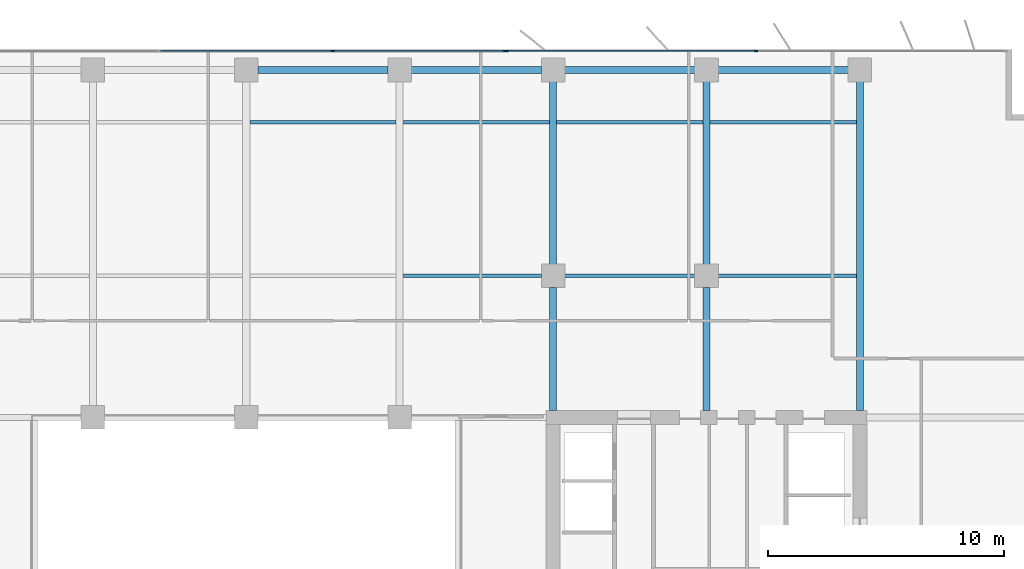
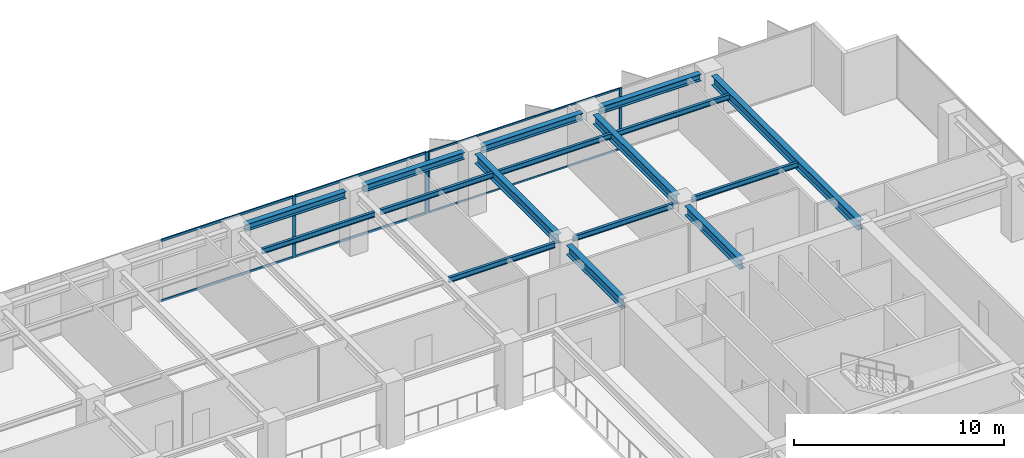
# One storey, part 10 of 22: 16 beams, 10 members, 2 elements without a shape of their own.
"""IFC4 building model written with IfcOpenShell, lengths in metres."""

from ifc_helpers import new_model, si_unit, direction, frame, origin, origin_2d, place, context, subcontext, project, spatial, rectangle, i_section, extrude, material, layer, layer_set, material_profile, profile_set, type_object, element, aggregate, save


model = new_model("IFC4")

# Units and contexts
model_context = context("Model", 3, precision=1e-05, world=origin(), true_north=direction((0.0, 1.0)))
body_context = subcontext(model_context, "Body", "Model", "MODEL_VIEW")
ifc_project = project(units=[si_unit("LENGTHUNIT", "METRE"), si_unit("AREAUNIT", "SQUARE_METRE"), si_unit("VOLUMEUNIT", "CUBIC_METRE"), si_unit("PLANEANGLEUNIT", "RADIAN"), si_unit("MASSUNIT", "GRAM", prefix="KILO")], contexts=[model_context])

# Site, building, storey
site_placement = place(None, origin())
site = spatial("IfcSite", under=ifc_project, at=site_placement, CompositionType="ELEMENT")
building_placement = place(site_placement, origin())
building = spatial("IfcBuilding", under=site, at=building_placement, Name="Putna Gate Headquarters", CompositionType="ELEMENT")
storey_placement = place(building_placement, frame((0.0, 0.0, 178.39990234375)))
storey = spatial("IfcBuildingStorey", under=building, at=storey_placement, Name="L44", CompositionType="ELEMENT", Elevation=178.39990234375)

# Beams
ifc_material_1 = material(Name="Steel S355J2", Category="steel")
ifc_material_profile_1 = material_profile(ifc_material_1, i_section(OverallWidth=0.300048828125, OverallDepth=0.550048828125, WebThickness=0.014892578125, FlangeThickness=0.029052734375, at=origin_2d()), Name="Steel S355J2")
ifc_profile_set_1 = profile_set([ifc_material_profile_1], Name="Steel S355J2")
beam_type_1 = type_object("IfcBeamType", Name="BM-GIRD-Z3-HEB550", PredefinedType="USERDEFINED", material=ifc_profile_set_1)
beam_1_placement = place(storey_placement, frame((52.0, 33.284912109375, 3.297119140625), z_axis=(0.0, 1.0, 0.0), x_axis=(-1.0, 0.0, 0.0)))
element("IfcBeam", 1, at=beam_1_placement, inside=storey, type_object=beam_type_1, Name="L44 North Primary Girder X52-1", ObjectType="GIRDER", PredefinedType="USERDEFINED", context=body_context, shape_type="SweptSolid", body=[
    extrude(i_section(OverallWidth=0.300048828125, OverallDepth=0.550048828125, WebThickness=0.014892578125, FlangeThickness=0.029052734375, at=origin_2d()), origin(), (0.0, 0.0, 1.0), 5.22705078125),
])
beam_2_placement = place(storey_placement, frame((52.0, 39.488037109375, 3.297119140625), z_axis=(0.0, 1.0, 0.0), x_axis=(-1.0, 0.0, 0.0)))
element("IfcBeam", 2, at=beam_2_placement, inside=storey, type_object=beam_type_1, Name="L44 North Primary Girder X52-2", ObjectType="GIRDER", PredefinedType="USERDEFINED", context=body_context, shape_type="SweptSolid", body=[
    extrude(i_section(OverallWidth=0.300048828125, OverallDepth=0.550048828125, WebThickness=0.014892578125, FlangeThickness=0.029052734375, at=origin_2d()), origin(), (0.0, 0.0, 1.0), 7.743896484375),
])
beam_3_placement = place(storey_placement, frame((58.5, 33.284912109375, 3.297119140625), z_axis=(0.0, 1.0, 0.0), x_axis=(-1.0, 0.0, 0.0)))
element("IfcBeam", 3, at=beam_3_placement, inside=storey, type_object=beam_type_1, Name="L44 North Primary Girder X58-1", ObjectType="GIRDER", PredefinedType="USERDEFINED", context=body_context, shape_type="SweptSolid", body=[
    extrude(i_section(OverallWidth=0.300048828125, OverallDepth=0.550048828125, WebThickness=0.014892578125, FlangeThickness=0.029052734375, at=origin_2d()), origin(), (0.0, 0.0, 1.0), 5.22705078125),
])
beam_4_placement = place(storey_placement, frame((58.5, 39.488037109375, 3.297119140625), z_axis=(0.0, 1.0, 0.0), x_axis=(-1.0, 0.0, 0.0)))
element("IfcBeam", 4, at=beam_4_placement, inside=storey, type_object=beam_type_1, Name="L44 North Primary Girder X58-2", ObjectType="GIRDER", PredefinedType="USERDEFINED", context=body_context, shape_type="SweptSolid", body=[
    extrude(i_section(OverallWidth=0.300048828125, OverallDepth=0.550048828125, WebThickness=0.014892578125, FlangeThickness=0.029052734375, at=origin_2d()), origin(), (0.0, 0.0, 1.0), 7.743896484375),
])
beam_5_placement = place(storey_placement, frame((65.0, 33.284912109375, 3.297119140625), z_axis=(0.0, 1.0, 0.0), x_axis=(-1.0, 0.0, 0.0)))
element("IfcBeam", 5, at=beam_5_placement, inside=storey, type_object=beam_type_1, Name="L44 North Primary Girder X65", ObjectType="GIRDER", PredefinedType="USERDEFINED", context=body_context, shape_type="SweptSolid", body=[
    extrude(i_section(OverallWidth=0.300048828125, OverallDepth=0.550048828125, WebThickness=0.014892578125, FlangeThickness=0.029052734375, at=origin_2d()), origin(), (0.0, 0.0, 1.0), 13.947021484375),
])
ifc_material_profile_2 = material_profile(ifc_material_1, i_section(OverallWidth=0.14990234375, OverallDepth=0.300048828125, WebThickness=0.007080078125, FlangeThickness=0.0107421875, at=origin_2d()), Name="Steel S355J2")
ifc_profile_set_2 = profile_set([ifc_material_profile_2], Name="Steel S355J2")
beam_type_2 = type_object("IfcBeamType", Name="BM-SEC-Z3-IPE300", PredefinedType="JOIST", material=ifc_profile_set_2)
beam_6_placement = place(storey_placement, frame((39.154052734375, 45.5, 3.422119140625), z_axis=(1.0, 0.0, 0.0), x_axis=(0.0, 1.0, 0.0)))
element("IfcBeam", 6, at=beam_6_placement, inside=storey, type_object=beam_type_2, Name="L44 North Secondary Beam 5", PredefinedType="JOIST", context=body_context, shape_type="SweptSolid", body=[
    extrude(i_section(OverallWidth=0.14990234375, OverallDepth=0.300048828125, WebThickness=0.007080078125, FlangeThickness=0.0107421875, at=origin_2d()), origin(), (0.0, 0.0, 1.0), 6.19189453125),
])
beam_7_placement = place(storey_placement, frame((45.654052734375, 39.0, 3.422119140625), z_axis=(1.0, 0.0, 0.0), x_axis=(0.0, 1.0, 0.0)))
element("IfcBeam", 7, at=beam_7_placement, inside=storey, type_object=beam_type_2, Name="L44 North Secondary Beam 6", PredefinedType="JOIST", context=body_context, shape_type="SweptSolid", body=[
    extrude(i_section(OverallWidth=0.14990234375, OverallDepth=0.300048828125, WebThickness=0.007080078125, FlangeThickness=0.0107421875, at=origin_2d()), origin(), (0.0, 0.0, 1.0), 5.85791015625),
])
beam_8_placement = place(storey_placement, frame((45.654052734375, 45.5, 3.422119140625), z_axis=(1.0, 0.0, 0.0), x_axis=(0.0, 1.0, 0.0)))
element("IfcBeam", 8, at=beam_8_placement, inside=storey, type_object=beam_type_2, Name="L44 North Secondary Beam 6", PredefinedType="JOIST", context=body_context, shape_type="SweptSolid", body=[
    extrude(i_section(OverallWidth=0.14990234375, OverallDepth=0.300048828125, WebThickness=0.007080078125, FlangeThickness=0.0107421875, at=origin_2d()), origin(), (0.0, 0.0, 1.0), 6.19189453125),
])
beam_9_placement = place(storey_placement, frame((52.488037109375, 39.0, 3.422119140625), z_axis=(1.0, 0.0, 0.0), x_axis=(0.0, 1.0, 0.0)))
element("IfcBeam", 9, at=beam_9_placement, inside=storey, type_object=beam_type_2, Name="L44 North Secondary Beam 7", PredefinedType="JOIST", context=body_context, shape_type="SweptSolid", body=[
    extrude(i_section(OverallWidth=0.14990234375, OverallDepth=0.300048828125, WebThickness=0.007080078125, FlangeThickness=0.0107421875, at=origin_2d()), origin(), (0.0, 0.0, 1.0), 5.52392578125),
])
beam_10_placement = place(storey_placement, frame((52.154052734375, 45.5, 3.422119140625), z_axis=(1.0, 0.0, 0.0), x_axis=(0.0, 1.0, 0.0)))
element("IfcBeam", 10, at=beam_10_placement, inside=storey, type_object=beam_type_2, Name="L44 North Secondary Beam 7", PredefinedType="JOIST", context=body_context, shape_type="SweptSolid", body=[
    extrude(i_section(OverallWidth=0.14990234375, OverallDepth=0.300048828125, WebThickness=0.007080078125, FlangeThickness=0.0107421875, at=origin_2d()), origin(), (0.0, 0.0, 1.0), 6.19189453125),
])
beam_11_placement = place(storey_placement, frame((58.988037109375, 39.0, 3.422119140625), z_axis=(1.0, 0.0, 0.0), x_axis=(0.0, 1.0, 0.0)))
element("IfcBeam", 11, at=beam_11_placement, inside=storey, type_object=beam_type_2, Name="L44 North Secondary Beam 8", PredefinedType="JOIST", context=body_context, shape_type="SweptSolid", body=[
    extrude(i_section(OverallWidth=0.14990234375, OverallDepth=0.300048828125, WebThickness=0.007080078125, FlangeThickness=0.0107421875, at=origin_2d()), origin(), (0.0, 0.0, 1.0), 5.85791015625),
])
beam_12_placement = place(storey_placement, frame((58.654052734375, 45.5, 3.422119140625), z_axis=(1.0, 0.0, 0.0), x_axis=(0.0, 1.0, 0.0)))
element("IfcBeam", 12, at=beam_12_placement, inside=storey, type_object=beam_type_2, Name="L44 North Secondary Beam 8", PredefinedType="JOIST", context=body_context, shape_type="SweptSolid", body=[
    extrude(i_section(OverallWidth=0.14990234375, OverallDepth=0.300048828125, WebThickness=0.007080078125, FlangeThickness=0.0107421875, at=origin_2d()), origin(), (0.0, 0.0, 1.0), 6.19189453125),
])
ifc_material_profile_3 = material_profile(ifc_material_1, i_section(OverallWidth=0.300048828125, OverallDepth=0.39990234375, WebThickness=0.013427734375, FlangeThickness=0.02392578125, at=origin_2d()), Name="Steel S355J2")
ifc_profile_set_3 = profile_set([ifc_material_profile_3], Name="Steel S355J2")
beam_type_3 = type_object("IfcBeamType", Name="BM-SPAN-Z3-HEB400", PredefinedType="SPANDREL", material=ifc_profile_set_3)
for number, where, z_axis, x_axis, name in (
    (13, (39.488037109375, 47.719970703125, 3.3720703125), (1.0, 0.0, 0.0), (0.0, 1.0, 0.0), "L44 N Perimeter Spandrel 5"),
    (14, (45.988037109375, 47.719970703125, 3.3720703125), (1.0, 0.0, 0.0), (0.0, 1.0, 0.0), "L44 N Perimeter Spandrel 6"),
    (15, (52.488037109375, 47.719970703125, 3.3720703125), (1.0, 0.0, 0.0), (0.0, 1.0, 0.0), "L44 N Perimeter Spandrel 7"),
    (16, (58.988037109375, 47.719970703125, 3.3720703125), (1.0, 0.0, 0.0), (0.0, 1.0, 0.0), "L44 N Perimeter Spandrel 8"),
):
    element("IfcBeam", number, at=place(storey_placement, frame(where, z_axis=z_axis, x_axis=x_axis)), inside=storey, type_object=beam_type_3, Name=name, PredefinedType="SPANDREL", context=body_context, shape_type="SweptSolid", body=[
        extrude(i_section(OverallWidth=0.300048828125, OverallDepth=0.39990234375, WebThickness=0.013427734375, FlangeThickness=0.02392578125, at=origin_2d()), origin(), (0.0, 0.0, 1.0), 5.52392578125),
    ])

# Curtain wall, members
ifc_material_2 = material(Name="Anodised bronze aluminium curtain wall", Category="aluminium")
ifc_layer_1 = layer(ifc_material_2, 0.159912109375)
ifc_layer_set_1 = layer_set([ifc_layer_1], Name="Anodised bronze aluminium curtain wall")
curtain_wall_type_1 = type_object("IfcCurtainWallType", Name="CW-SYS-Z3", PredefinedType="USERDEFINED", material=ifc_layer_set_1)
curtain_wall_1_placement = place(storey_placement, origin())
curtain_wall_1 = element("IfcCurtainWall", 17, at=curtain_wall_1_placement, inside=storey, type_object=curtain_wall_type_1, Name="L44 North East Curtain Wall", ObjectType="STICK CURTAIN WALL", PredefinedType="USERDEFINED")
ifc_material_3 = material(Name="Anodised bronze aluminium EN AW-6060", Category="aluminium")
ifc_material_profile_4 = material_profile(ifc_material_3, rectangle(XDim=0.06494140625, YDim=0.159912109375, at=origin_2d()), Name="Anodised bronze aluminium EN AW-6060")
ifc_profile_set_4 = profile_set([ifc_material_profile_4], Name="Anodised bronze aluminium EN AW-6060")
member_type_1 = type_object("IfcMemberType", Name="MULL-CWM-3", PredefinedType="MULLION", material=ifc_profile_set_4)
member_1_placement = place(storey_placement, frame((50.032470703125, 48.52001953125, 0.0), z_axis=(0.0, 0.0, 1.0), x_axis=(0.0, 1.0, 0.0)))
member_1 = element("IfcMember", 18, at=member_1_placement, type_object=member_type_1, Name="CWS-3 mullion 1", PredefinedType="MULLION", context=body_context, shape_type="SweptSolid", body=[
    extrude(rectangle(XDim=0.06494140625, YDim=0.159912109375, at=origin_2d()), origin(), (0.0, 0.0, 1.0), 3.572021484375),
])
member_2_placement = place(storey_placement, frame((60.60009765625, 48.52001953125, 0.0), z_axis=(0.0, 0.0, 1.0), x_axis=(0.0, 1.0, 0.0)))
member_2 = element("IfcMember", 19, at=member_2_placement, type_object=member_type_1, Name="CWS-3 mullion 2", PredefinedType="MULLION", context=body_context, shape_type="SweptSolid", body=[
    extrude(rectangle(XDim=0.06494140625, YDim=0.159912109375, at=origin_2d()), origin(), (0.0, 0.0, 1.0), 3.572021484375),
])

ifc_layer_2 = layer(ifc_material_2, 0.179931640625)
ifc_layer_set_2 = layer_set([ifc_layer_2], Name="Anodised bronze aluminium curtain wall")
curtain_wall_type_2 = type_object("IfcCurtainWallType", Name="CW-SYS-ATR", PredefinedType="USERDEFINED", material=ifc_layer_set_2)
curtain_wall_2_placement = place(storey_placement, origin())
curtain_wall_2 = element("IfcCurtainWall", 20, at=curtain_wall_2_placement, inside=storey, type_object=curtain_wall_type_2, Name="L44 North Atrium Clear Glazing", ObjectType="ATRIUM GLAZING", PredefinedType="USERDEFINED")
ifc_material_profile_5 = material_profile(ifc_material_3, rectangle(XDim=0.070068359375, YDim=0.179931640625, at=origin_2d()), Name="Anodised bronze aluminium EN AW-6060")
ifc_profile_set_5 = profile_set([ifc_material_profile_5], Name="Anodised bronze aluminium EN AW-6060")
member_type_2 = type_object("IfcMemberType", Name="MULL-CWM-AT", PredefinedType="MULLION", material=ifc_profile_set_5)
member_3_placement = place(storey_placement, frame((42.666748046875, 48.52001953125, 0.0), z_axis=(0.0, 0.0, 1.0), x_axis=(0.0, 1.0, 0.0)))
member_3 = element("IfcMember", 21, at=member_3_placement, type_object=member_type_2, Name="CWS-AT mullion 3", PredefinedType="MULLION", context=body_context, shape_type="SweptSolid", body=[
    extrude(rectangle(XDim=0.070068359375, YDim=0.179931640625, at=origin_2d()), origin(), (0.0, 0.0, 1.0), 3.572021484375),
])
member_4_placement = place(storey_placement, frame((49.965087890625, 48.52001953125, 0.0), z_axis=(0.0, 0.0, 1.0), x_axis=(0.0, 1.0, 0.0)))
member_4 = element("IfcMember", 22, at=member_4_placement, type_object=member_type_2, Name="CWS-AT mullion 4", PredefinedType="MULLION", context=body_context, shape_type="SweptSolid", body=[
    extrude(rectangle(XDim=0.070068359375, YDim=0.179931640625, at=origin_2d()), origin(), (0.0, 0.0, 1.0), 3.572021484375),
])

# Member
ifc_material_profile_6 = material_profile(ifc_material_3, rectangle(XDim=0.06005859375, YDim=0.10009765625, at=origin_2d()), Name="Anodised bronze aluminium EN AW-6060")
ifc_profile_set_6 = profile_set([ifc_material_profile_6], Name="Anodised bronze aluminium EN AW-6060")
member_type_3 = type_object("IfcMemberType", Name="TRAN-CWT-3", PredefinedType="USERDEFINED", material=ifc_profile_set_6)
member_5_placement = place(storey_placement, frame((50.06494140625, 48.52001953125, 0.030029296875), z_axis=(1.0, 0.0, 0.0), x_axis=(0.0, 1.0, 0.0)))
member_5 = element("IfcMember", 23, at=member_5_placement, type_object=member_type_3, Name="CWS-3 transom 1.1", ObjectType="TRANSOM", PredefinedType="USERDEFINED", context=body_context, shape_type="SweptSolid", body=[
    extrude(rectangle(XDim=0.06005859375, YDim=0.10009765625, at=origin_2d()), origin(), (0.0, 0.0, 1.0), 10.50244140625),
])

member_6_placement = place(storey_placement, frame((50.06494140625, 48.52001953125, 3.5419921875), z_axis=(1.0, 0.0, 0.0), x_axis=(0.0, 1.0, 0.0)))
member_6 = element("IfcMember", 24, at=member_6_placement, type_object=member_type_3, Name="CWS-3 transom 1.2", ObjectType="TRANSOM", PredefinedType="USERDEFINED", context=body_context, shape_type="SweptSolid", body=[
    extrude(rectangle(XDim=0.06005859375, YDim=0.10009765625, at=origin_2d()), origin(), (0.0, 0.0, 1.0), 10.50244140625),
])

aggregate(curtain_wall_1, [member_1, member_2, member_5, member_6])

ifc_material_profile_7 = material_profile(ifc_material_3, rectangle(XDim=0.070068359375, YDim=0.139892578125, at=origin_2d()), Name="Anodised bronze aluminium EN AW-6060")
ifc_profile_set_7 = profile_set([ifc_material_profile_7], Name="Anodised bronze aluminium EN AW-6060")
member_type_4 = type_object("IfcMemberType", Name="TRAN-CWT-AT", PredefinedType="USERDEFINED", material=ifc_profile_set_7)
member_7_placement = place(storey_placement, frame((35.368408203125, 48.52001953125, 0.03515625), z_axis=(1.0, 0.0, 0.0), x_axis=(0.0, 1.0, 0.0)))
member_7 = element("IfcMember", 25, at=member_7_placement, type_object=member_type_4, Name="CWS-AT transom 2.1", ObjectType="TRANSOM", PredefinedType="USERDEFINED", context=body_context, shape_type="SweptSolid", body=[
    extrude(rectangle(XDim=0.070068359375, YDim=0.139892578125, at=origin_2d()), origin(), (0.0, 0.0, 1.0), 7.26318359375),
])

member_8_placement = place(storey_placement, frame((35.368408203125, 48.52001953125, 3.537109375), z_axis=(1.0, 0.0, 0.0), x_axis=(0.0, 1.0, 0.0)))
member_8 = element("IfcMember", 26, at=member_8_placement, type_object=member_type_4, Name="CWS-AT transom 2.2", ObjectType="TRANSOM", PredefinedType="USERDEFINED", context=body_context, shape_type="SweptSolid", body=[
    extrude(rectangle(XDim=0.070068359375, YDim=0.139892578125, at=origin_2d()), origin(), (0.0, 0.0, 1.0), 7.26318359375),
])

member_9_placement = place(storey_placement, frame((42.70166015625, 48.52001953125, 0.03515625), z_axis=(1.0, 0.0, 0.0), x_axis=(0.0, 1.0, 0.0)))
member_9 = element("IfcMember", 27, at=member_9_placement, type_object=member_type_4, Name="CWS-AT transom 3.1", ObjectType="TRANSOM", PredefinedType="USERDEFINED", context=body_context, shape_type="SweptSolid", body=[
    extrude(rectangle(XDim=0.070068359375, YDim=0.139892578125, at=origin_2d()), origin(), (0.0, 0.0, 1.0), 7.228271484375),
])

member_10_placement = place(storey_placement, frame((42.70166015625, 48.52001953125, 3.537109375), z_axis=(1.0, 0.0, 0.0), x_axis=(0.0, 1.0, 0.0)))
member_10 = element("IfcMember", 28, at=member_10_placement, type_object=member_type_4, Name="CWS-AT transom 3.2", ObjectType="TRANSOM", PredefinedType="USERDEFINED", context=body_context, shape_type="SweptSolid", body=[
    extrude(rectangle(XDim=0.070068359375, YDim=0.139892578125, at=origin_2d()), origin(), (0.0, 0.0, 1.0), 7.228271484375),
])

aggregate(curtain_wall_2, [member_3, member_4, member_7, member_8, member_9, member_10])

save(model, "model.ifc")
